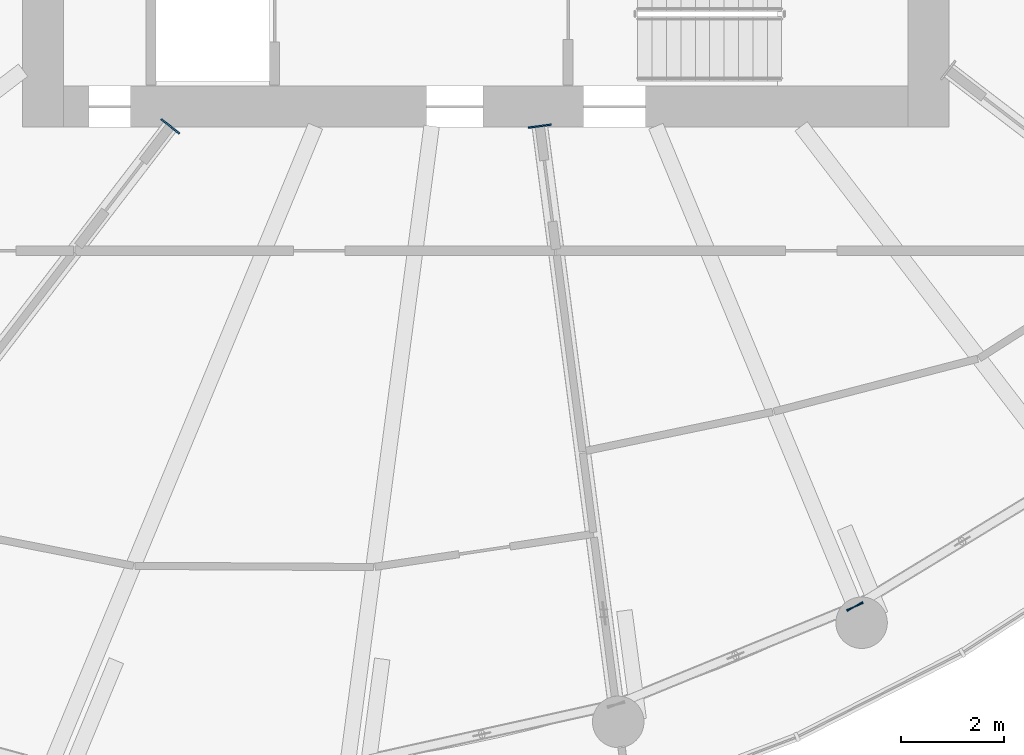
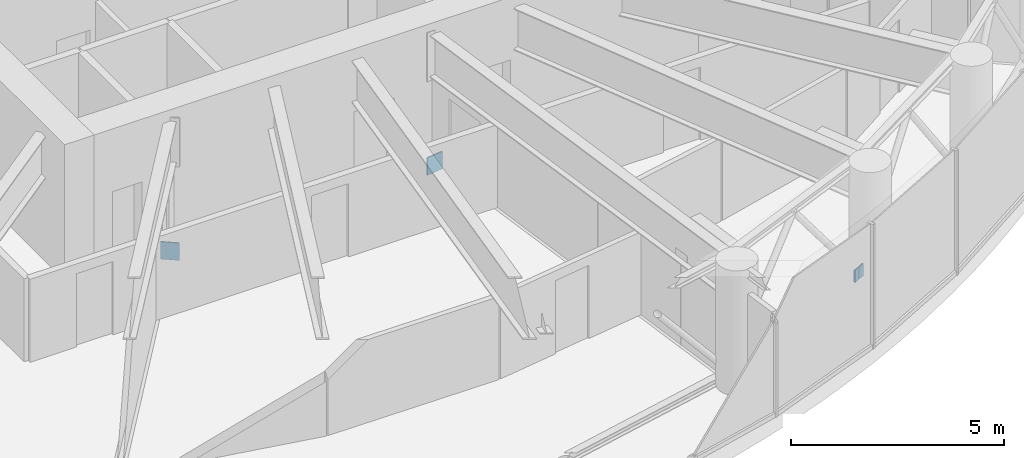
# One storey, part 18 of 25: 4 discrete accessories.
"""IFC4 building model written with IfcOpenShell, lengths in metres."""

from ifc_helpers import new_model, si_unit, direction, frame, origin, origin_2d, place, context, subcontext, project, spatial, rectangle, extrude, source, transform, mapped, material, layer, layer_set, type_object, element, save


model = new_model("IFC4")

# Units and contexts
model_context = context("Model", 3, precision=1e-05, world=origin(), true_north=direction((0.0, 1.0)))
body_context = subcontext(model_context, "Body", "Model", "MODEL_VIEW")
ifc_project = project(units=[si_unit("LENGTHUNIT", "METRE"), si_unit("AREAUNIT", "SQUARE_METRE"), si_unit("VOLUMEUNIT", "CUBIC_METRE"), si_unit("PLANEANGLEUNIT", "RADIAN"), si_unit("MASSUNIT", "GRAM", prefix="KILO")], contexts=[model_context])

# Site, building, storey
site_placement = place(None, origin())
site = spatial("IfcSite", under=ifc_project, at=site_placement, CompositionType="ELEMENT")
building_placement = place(site_placement, origin())
building = spatial("IfcBuilding", under=site, at=building_placement, Name="Spindrift Exchange Tower", CompositionType="ELEMENT")
storey_placement = place(building_placement, frame((0.0, 0.0, 179.89990234375)))
storey = spatial("IfcBuildingStorey", under=building, at=storey_placement, Name="L43", CompositionType="ELEMENT", Elevation=179.89990234375)

# Discrete accessories
ifc_material = material(Name="Steel Grade 350", Category="steel")
ifc_layer_1 = layer(ifc_material, 0.031982421875)
ifc_layer_set_1 = layer_set([ifc_layer_1], Name="Cast-in plate 450x500x32 Steel Grade 350")
discrete_accessory_type_1 = type_object("IfcDiscreteAccessoryType", Name="Cast-in plate 450x500x32 Steel Grade 350", PredefinedType="USERDEFINED", material=ifc_layer_set_1)
shared_shape_1 = source(origin(), body_context, "Body", "SweptSolid", [
    extrude(rectangle(XDim=0.031982421875, YDim=0.449951171875, at=origin_2d()), origin(), (0.0, 0.0, 1.0), 0.5),
])
for number, where, z_axis, x_axis, name in (
    (1, (45.87353515625, 40.015869140625, -0.406982421875), (0.0, 0.0, 1.0), (-0.608761429009, -0.793353340291, 0.0), "L43 cast-in plate CP2 16"),
    (2, (53.050537109375, 40.019775390625, -0.406982421875), (0.0, 0.0, 1.0), (0.13052619222, -0.991444861374, 0.0), "L43 cast-in plate CP2 19"),
):
    element("IfcDiscreteAccessory", number, at=place(storey_placement, frame(where, z_axis=z_axis, x_axis=x_axis)), inside=storey, type_object=discrete_accessory_type_1, Name=name, ObjectType="Cast-in plate", PredefinedType="USERDEFINED", context=body_context, shape_type="MappedRepresentation", body=[
        mapped(shared_shape_1, transform((0.0, 0.0, 0.0), scale=1.0)),
    ])
ifc_layer_2 = layer(ifc_material, 0.02001953125)
ifc_layer_set_2 = layer_set([ifc_layer_2], Name="Gusset plate 350x350x20 Steel Grade 350")
discrete_accessory_type_2 = type_object("IfcDiscreteAccessoryType", Name="Gusset plate 350x350x20 Steel Grade 350", PredefinedType="USERDEFINED", material=ifc_layer_set_2)
shared_shape_2 = source(origin(), body_context, "Body", "SweptSolid", [
    extrude(rectangle(XDim=0.35009765625, YDim=0.02001953125, at=origin_2d()), origin(), (0.0, 0.0, 1.0), 0.35009765625),
])
for number, where, z_axis, x_axis, name in (
    (3, (59.170654296875, 30.688232421875, 0.03515625), (0.0, 0.0, 1.0), (0.925280565777, 0.379283369785, 0.0), "L43 gusset plate GP2 19"),
    (4, (59.170654296875, 30.688232421875, 0.03515625), (0.0, 0.0, 1.0), (0.854103191274, 0.520103584544, 0.0), "L43 gusset plate GP2 20"),
):
    element("IfcDiscreteAccessory", number, at=place(storey_placement, frame(where, z_axis=z_axis, x_axis=x_axis)), inside=storey, type_object=discrete_accessory_type_2, Name=name, ObjectType="Gusset plate", PredefinedType="USERDEFINED", context=body_context, shape_type="MappedRepresentation", body=[
        mapped(shared_shape_2, transform((0.0, 0.0, 0.0), scale=1.0)),
    ])

save(model, "model.ifc")
